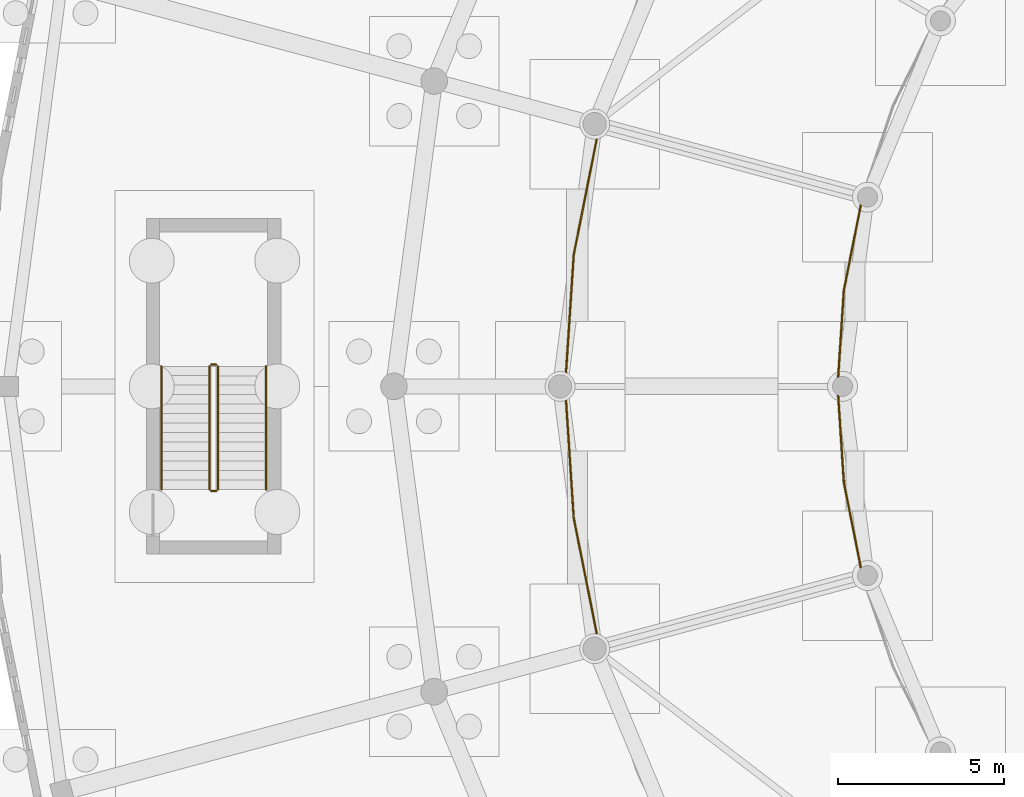
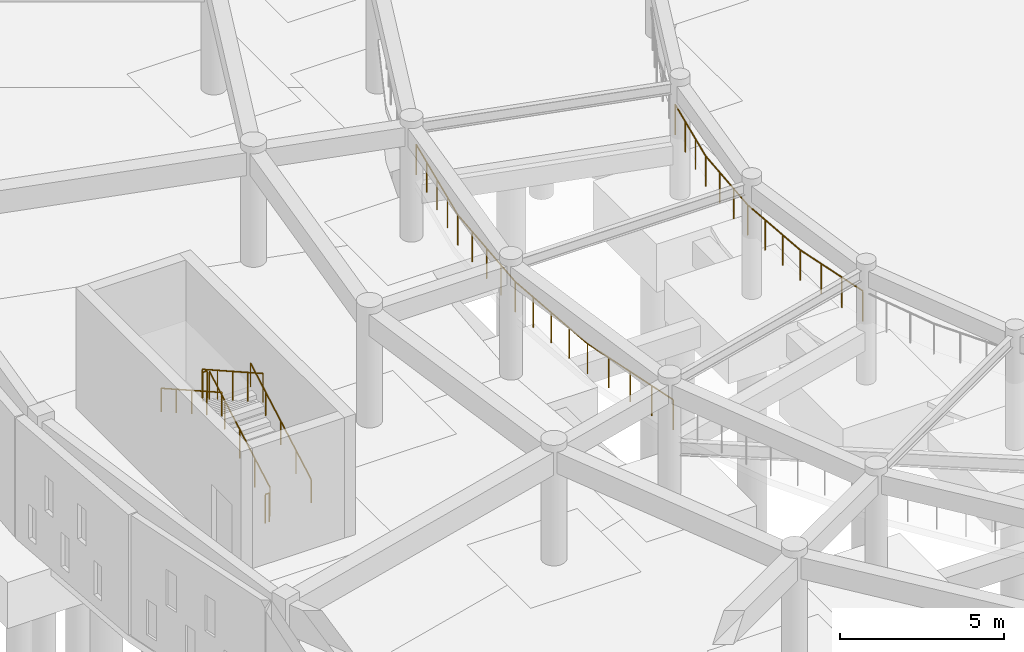
# One storey, part 68 of 84: 8 railings.
"""IFC4 building model written with IfcOpenShell, lengths in metres."""

from ifc_helpers import new_model, si_unit, direction, frame, origin, origin_2d, place, context, subcontext, project, spatial, circle, extrude, material, type_object, element, save


model = new_model("IFC4")

# Units and contexts
model_context = context("Model", 3, precision=1e-05, world=origin(), true_north=direction((0.0, 1.0)))
body_context = subcontext(model_context, "Body", "Model", "MODEL_VIEW")
ifc_project = project(units=[si_unit("LENGTHUNIT", "METRE"), si_unit("AREAUNIT", "SQUARE_METRE"), si_unit("VOLUMEUNIT", "CUBIC_METRE"), si_unit("PLANEANGLEUNIT", "RADIAN"), si_unit("MASSUNIT", "GRAM", prefix="KILO")], contexts=[model_context])

# Site, building, storey
site_placement = place(None, origin())
site = spatial("IfcSite", under=ifc_project, at=site_placement, CompositionType="ELEMENT")
building_placement = place(site_placement, origin())
building = spatial("IfcBuilding", under=site, at=building_placement, Name="Larkveld Mobility Hub", CompositionType="ELEMENT")
storey_placement = place(building_placement, origin())
storey = spatial("IfcBuildingStorey", under=building, at=storey_placement, Name="L00", CompositionType="ELEMENT", Elevation=0.0)

# Railings
ifc_material_1 = material(Name="Galvanized Steel S355JR balustrade", Category="steel")
railing_type_1 = type_object("IfcRailingType", Name="RL-GRD-1100", PredefinedType="GUARDRAIL", material=ifc_material_1)
railing_1_placement = place(storey_placement, frame((7.199951171875, 44.89990234375, 0.16064453125)))
element("IfcRailing", 1, at=railing_1_placement, inside=storey, type_object=railing_type_1, Name="L00 ST7 stair guard 1", PredefinedType="GUARDRAIL", context=body_context, shape_type="SweptSolid", body=[
    extrude(circle(Radius=0.02392578125, at=origin_2d()), frame((0.0, 0.0, 1.076171875), z_axis=(0.0, 0.871047735535, 0.491198373795), x_axis=(-1.0, 0.0, 0.0)), (0.0, 0.0, 1.0), 4.253662109375),
    extrude(circle(Radius=0.02099609375, at=origin_2d()), origin(), (0.0, 0.0, 1.0), 1.052001953125),
    extrude(circle(Radius=0.02099609375, at=origin_2d()), frame((0.0, 0.92626953125, 0.5224609375)), (0.0, 0.0, 1.0), 1.052001953125),
    extrude(circle(Radius=0.02099609375, at=origin_2d()), frame((0.0, 1.8525390625, 1.044677734375)), (0.0, 0.0, 1.0), 1.052001953125),
    extrude(circle(Radius=0.02099609375, at=origin_2d()), frame((0.0, 2.77880859375, 1.56689453125)), (0.0, 0.0, 1.0), 1.052001953125),
    extrude(circle(Radius=0.02099609375, at=origin_2d()), frame((0.0, 3.705078125, 2.08935546875)), (0.0, 0.0, 1.0), 1.052001953125),
])
railing_2_placement = place(storey_placement, frame((7.14990234375, 48.655029296875, 2.25)))
element("IfcRailing", 2, at=railing_2_placement, inside=storey, type_object=railing_type_1, Name="L00 ST7 stair guard 2", PredefinedType="GUARDRAIL", context=body_context, shape_type="SweptSolid", body=[
    extrude(circle(Radius=0.02392578125, at=origin_2d()), frame((0.0, 0.0, 1.076171875), z_axis=(-1.0, 0.0, 0.0), x_axis=(0.0, -1.0, 0.0)), (0.0, 0.0, 1.0), 0.14990234375),
    extrude(circle(Radius=0.02099609375, at=origin_2d()), origin(), (0.0, 0.0, 1.0), 1.052001953125),
    extrude(circle(Radius=0.02099609375, at=origin_2d()), frame((-0.14990234375, 0.0, 0.0)), (0.0, 0.0, 1.0), 1.052001953125),
])
railing_3_placement = place(storey_placement, frame((6.949951171875, 48.60498046875, 2.41064453125)))
element("IfcRailing", 3, at=railing_3_placement, inside=storey, type_object=railing_type_1, Name="L00 ST7 stair guard 3", PredefinedType="GUARDRAIL", context=body_context, shape_type="SweptSolid", body=[
    extrude(circle(Radius=0.02392578125, at=origin_2d()), frame((0.0, 0.0, 1.076171875), z_axis=(0.0, -0.871047735535, 0.491198373795), x_axis=(1.0, 0.0, 0.0)), (0.0, 0.0, 1.0), 4.253662109375),
    extrude(circle(Radius=0.02099609375, at=origin_2d()), origin(), (0.0, 0.0, 1.0), 1.052001953125),
    extrude(circle(Radius=0.02099609375, at=origin_2d()), frame((0.0, -0.92626953125, 0.5224609375)), (0.0, 0.0, 1.0), 1.052001953125),
    extrude(circle(Radius=0.02099609375, at=origin_2d()), frame((0.0, -1.8525390625, 1.044677734375)), (0.0, 0.0, 1.0), 1.052001953125),
    extrude(circle(Radius=0.02099609375, at=origin_2d()), frame((0.0, -2.77880859375, 1.56689453125)), (0.0, 0.0, 1.0), 1.052001953125),
    extrude(circle(Radius=0.02099609375, at=origin_2d()), frame((0.0, -3.705078125, 2.08935546875)), (0.0, 0.0, 1.0), 1.052001953125),
])
railing_4_placement = place(storey_placement, frame((7.14990234375, 44.85009765625, 0.0)))
element("IfcRailing", 4, at=railing_4_placement, inside=storey, type_object=railing_type_1, Name="L00 ST7 stair guard 4", PredefinedType="GUARDRAIL", context=body_context, shape_type="SweptSolid", body=[
    extrude(circle(Radius=0.02392578125, at=origin_2d()), frame((0.0, 0.0, 1.076171875), z_axis=(-1.0, 0.0, 0.0), x_axis=(0.0, -1.0, 0.0)), (0.0, 0.0, 1.0), 0.14990234375),
    extrude(circle(Radius=0.02099609375, at=origin_2d()), origin(), (0.0, 0.0, 1.0), 1.052001953125),
    extrude(circle(Radius=0.02099609375, at=origin_2d()), frame((-0.14990234375, 0.0, 0.0)), (0.0, 0.0, 1.0), 1.052001953125),
])
ifc_material_2 = material(Name="Galvanized Steel S355JR vehicle-deck guard", Category="steel")
railing_type_2 = type_object("IfcRailingType", Name="RL-GRD-RMP", PredefinedType="GUARDRAIL", material=ifc_material_2)
railing_5_placement = place(storey_placement, frame((26.60498046875, 53.73291015625, 2.25)))
element("IfcRailing", 5, at=railing_5_placement, inside=storey, type_object=railing_type_2, Name="Helical Mid-Landing Inner Guard L00-001", PredefinedType="GUARDRAIL", context=body_context, shape_type="SweptSolid", body=[
    extrude(circle(Radius=0.02392578125, at=origin_2d()), frame((0.0, 0.0, 1.1259765625), z_axis=(-0.195305912265, -0.980742372203, 0.0), x_axis=(0.980742372203, -0.195305912265, 0.0)), (0.0, 0.0, 1.0), 2.897705078125),
    extrude(circle(Radius=0.02392578125, at=origin_2d()), frame((-0.56591796875, -2.841796875, 1.1259765625), z_axis=(-0.065221416326, -0.997870816715, 0.0), x_axis=(0.997870816715, -0.065221416326, 0.0)), (0.0, 0.0, 1.0), 2.897216796875),
    extrude(circle(Radius=0.02392578125, at=origin_2d()), frame((-0.7548828125, -5.73291015625, 1.1259765625), z_axis=(0.065221416326, -0.997870816715, 0.0), x_axis=(0.997870816715, 0.065221416326, 0.0)), (0.0, 0.0, 1.0), 2.897216796875),
    extrude(circle(Radius=0.02392578125, at=origin_2d()), frame((-0.56591796875, -8.6240234375, 1.1259765625), z_axis=(0.195305912265, -0.980742372203, 0.0), x_axis=(0.980742372203, 0.195305912265, 0.0)), (0.0, 0.0, 1.0), 2.897705078125),
    extrude(circle(Radius=0.02099609375, at=origin_2d()), origin(), (0.0, 0.0, 1.0), 1.101806640625),
    extrude(circle(Radius=0.02099609375, at=origin_2d()), frame((-0.188720703125, -0.947265625, 0.0)), (0.0, 0.0, 1.0), 1.101806640625),
    extrude(circle(Radius=0.02099609375, at=origin_2d()), frame((-0.377197265625, -1.89453125, 0.0)), (0.0, 0.0, 1.0), 1.101806640625),
    extrude(circle(Radius=0.02099609375, at=origin_2d()), frame((-0.56591796875, -2.841796875, 0.0)), (0.0, 0.0, 1.0), 1.101806640625),
    extrude(circle(Radius=0.02099609375, at=origin_2d()), frame((-0.62890625, -3.805419921875, 0.0)), (0.0, 0.0, 1.0), 1.101806640625),
    extrude(circle(Radius=0.02099609375, at=origin_2d()), frame((-0.69189453125, -4.769287109375, 0.0)), (0.0, 0.0, 1.0), 1.101806640625),
    extrude(circle(Radius=0.02099609375, at=origin_2d()), frame((-0.7548828125, -5.73291015625, 0.0)), (0.0, 0.0, 1.0), 1.101806640625),
    extrude(circle(Radius=0.02099609375, at=origin_2d()), frame((-0.69189453125, -6.696533203125, 0.0)), (0.0, 0.0, 1.0), 1.101806640625),
    extrude(circle(Radius=0.02099609375, at=origin_2d()), frame((-0.62890625, -7.660400390625, 0.0)), (0.0, 0.0, 1.0), 1.101806640625),
    extrude(circle(Radius=0.02099609375, at=origin_2d()), frame((-0.56591796875, -8.6240234375, 0.0)), (0.0, 0.0, 1.0), 1.101806640625),
    extrude(circle(Radius=0.02099609375, at=origin_2d()), frame((-0.377197265625, -9.5712890625, 0.0)), (0.0, 0.0, 1.0), 1.101806640625),
    extrude(circle(Radius=0.02099609375, at=origin_2d()), frame((-0.188720703125, -10.5185546875, 0.0)), (0.0, 0.0, 1.0), 1.101806640625),
    extrude(circle(Radius=0.02099609375, at=origin_2d()), frame((0.0, -11.4658203125, 0.0)), (0.0, 0.0, 1.0), 1.101806640625),
])
railing_6_placement = place(storey_placement, frame((18.68408203125, 55.85498046875, 2.25)))
element("IfcRailing", 6, at=railing_6_placement, inside=storey, type_object=railing_type_2, Name="Helical Mid-Landing Outer Guard L00-002", PredefinedType="GUARDRAIL", context=body_context, shape_type="SweptSolid", body=[
    extrude(circle(Radius=0.02392578125, at=origin_2d()), frame((0.0, 0.0, 1.1259765625), z_axis=(-0.194992586513, -0.980804716141, 0.0), x_axis=(0.980804716141, -0.194992586513, 0.0)), (0.0, 0.0, 1.0), 3.97021484375),
    extrude(circle(Radius=0.02392578125, at=origin_2d()), frame((-0.774169921875, -3.89404296875, 1.1259765625), z_axis=(-0.065502515435, -0.997852404152, 0.0), x_axis=(0.997852404152, -0.065502515435, 0.0)), (0.0, 0.0, 1.0), 3.969482421875),
    extrude(circle(Radius=0.02392578125, at=origin_2d()), frame((-1.0341796875, -7.85498046875, 1.1259765625), z_axis=(0.065502515435, -0.997852404152, 0.0), x_axis=(0.997852404152, 0.065502515435, 0.0)), (0.0, 0.0, 1.0), 3.969482421875),
    extrude(circle(Radius=0.02392578125, at=origin_2d()), frame((-0.774169921875, -11.81591796875, 1.1259765625), z_axis=(0.194992586513, -0.980804716141, 0.0), x_axis=(0.980804716141, 0.194992586513, 0.0)), (0.0, 0.0, 1.0), 3.97021484375),
    extrude(circle(Radius=0.02099609375, at=origin_2d()), origin(), (0.0, 0.0, 1.0), 1.101806640625),
    extrude(circle(Radius=0.02099609375, at=origin_2d()), frame((-0.193603515625, -0.9736328125, 0.0)), (0.0, 0.0, 1.0), 1.101806640625),
    extrude(circle(Radius=0.02099609375, at=origin_2d()), frame((-0.38720703125, -1.947021484375, 0.0)), (0.0, 0.0, 1.0), 1.101806640625),
    extrude(circle(Radius=0.02099609375, at=origin_2d()), frame((-0.58056640625, -2.92041015625, 0.0)), (0.0, 0.0, 1.0), 1.101806640625),
    extrude(circle(Radius=0.02099609375, at=origin_2d()), frame((-0.774169921875, -3.89404296875, 0.0)), (0.0, 0.0, 1.0), 1.101806640625),
    extrude(circle(Radius=0.02099609375, at=origin_2d()), frame((-0.839111328125, -4.88427734375, 0.0)), (0.0, 0.0, 1.0), 1.101806640625),
    extrude(circle(Radius=0.02099609375, at=origin_2d()), frame((-0.904296875, -5.87451171875, 0.0)), (0.0, 0.0, 1.0), 1.101806640625),
    extrude(circle(Radius=0.02099609375, at=origin_2d()), frame((-0.96923828125, -6.86474609375, 0.0)), (0.0, 0.0, 1.0), 1.101806640625),
    extrude(circle(Radius=0.02099609375, at=origin_2d()), frame((-1.0341796875, -7.85498046875, 0.0)), (0.0, 0.0, 1.0), 1.101806640625),
    extrude(circle(Radius=0.02099609375, at=origin_2d()), frame((-0.96923828125, -8.84521484375, 0.0)), (0.0, 0.0, 1.0), 1.101806640625),
    extrude(circle(Radius=0.02099609375, at=origin_2d()), frame((-0.904296875, -9.83544921875, 0.0)), (0.0, 0.0, 1.0), 1.101806640625),
    extrude(circle(Radius=0.02099609375, at=origin_2d()), frame((-0.839111328125, -10.82568359375, 0.0)), (0.0, 0.0, 1.0), 1.101806640625),
    extrude(circle(Radius=0.02099609375, at=origin_2d()), frame((-0.774169921875, -11.81591796875, 0.0)), (0.0, 0.0, 1.0), 1.101806640625),
    extrude(circle(Radius=0.02099609375, at=origin_2d()), frame((-0.58056640625, -12.78955078125, 0.0)), (0.0, 0.0, 1.0), 1.101806640625),
    extrude(circle(Radius=0.02099609375, at=origin_2d()), frame((-0.38720703125, -13.762939453125, 0.0)), (0.0, 0.0, 1.0), 1.101806640625),
    extrude(circle(Radius=0.02099609375, at=origin_2d()), frame((-0.193603515625, -14.736328125, 0.0)), (0.0, 0.0, 1.0), 1.101806640625),
    extrude(circle(Radius=0.02099609375, at=origin_2d()), frame((0.0, -15.7099609375, 0.0)), (0.0, 0.0, 1.0), 1.101806640625),
])
ifc_material_3 = material(Name="Brushed Steel S355JR tubular handrail", Category="steel")
railing_type_3 = type_object("IfcRailingType", Name="RL-HND-0900", PredefinedType="HANDRAIL", material=ifc_material_3)
railing_7_placement = place(storey_placement, frame((8.64990234375, 44.89990234375, 0.16064453125)))
element("IfcRailing", 7, at=railing_7_placement, inside=storey, type_object=railing_type_3, Name="L00 ST7 stair handrail 1", PredefinedType="HANDRAIL", context=body_context, shape_type="SweptSolid", body=[
    extrude(circle(Radius=0.02392578125, at=origin_2d()), frame((0.0, 0.0, 0.8759765625), z_axis=(0.0, 0.871047735535, 0.491198373795), x_axis=(-1.0, 0.0, 0.0)), (0.0, 0.0, 1.0), 4.253662109375),
    extrude(circle(Radius=0.02099609375, at=origin_2d()), origin(), (0.0, 0.0, 1.0), 0.851806640625),
    extrude(circle(Radius=0.02099609375, at=origin_2d()), frame((0.0, 0.92626953125, 0.5224609375)), (0.0, 0.0, 1.0), 0.851806640625),
    extrude(circle(Radius=0.02099609375, at=origin_2d()), frame((0.0, 1.8525390625, 1.044677734375)), (0.0, 0.0, 1.0), 0.851806640625),
    extrude(circle(Radius=0.02099609375, at=origin_2d()), frame((0.0, 2.77880859375, 1.56689453125)), (0.0, 0.0, 1.0), 0.851806640625),
    extrude(circle(Radius=0.02099609375, at=origin_2d()), frame((0.0, 3.705078125, 2.08935546875)), (0.0, 0.0, 1.0), 0.851806640625),
])
railing_8_placement = place(storey_placement, frame((5.5, 48.60498046875, 2.41064453125)))
element("IfcRailing", 8, at=railing_8_placement, inside=storey, type_object=railing_type_3, Name="L00 ST7 stair handrail 2", PredefinedType="HANDRAIL", context=body_context, shape_type="SweptSolid", body=[
    extrude(circle(Radius=0.02392578125, at=origin_2d()), frame((0.0, 0.0, 0.8759765625), z_axis=(0.0, -0.871047735535, 0.491198373795), x_axis=(1.0, 0.0, 0.0)), (0.0, 0.0, 1.0), 4.253662109375),
    extrude(circle(Radius=0.02099609375, at=origin_2d()), origin(), (0.0, 0.0, 1.0), 0.851806640625),
    extrude(circle(Radius=0.02099609375, at=origin_2d()), frame((0.0, -0.92626953125, 0.5224609375)), (0.0, 0.0, 1.0), 0.851806640625),
    extrude(circle(Radius=0.02099609375, at=origin_2d()), frame((0.0, -1.8525390625, 1.044677734375)), (0.0, 0.0, 1.0), 0.851806640625),
    extrude(circle(Radius=0.02099609375, at=origin_2d()), frame((0.0, -2.77880859375, 1.56689453125)), (0.0, 0.0, 1.0), 0.851806640625),
    extrude(circle(Radius=0.02099609375, at=origin_2d()), frame((0.0, -3.705078125, 2.08935546875)), (0.0, 0.0, 1.0), 0.851806640625),
])

save(model, "model.ifc")
